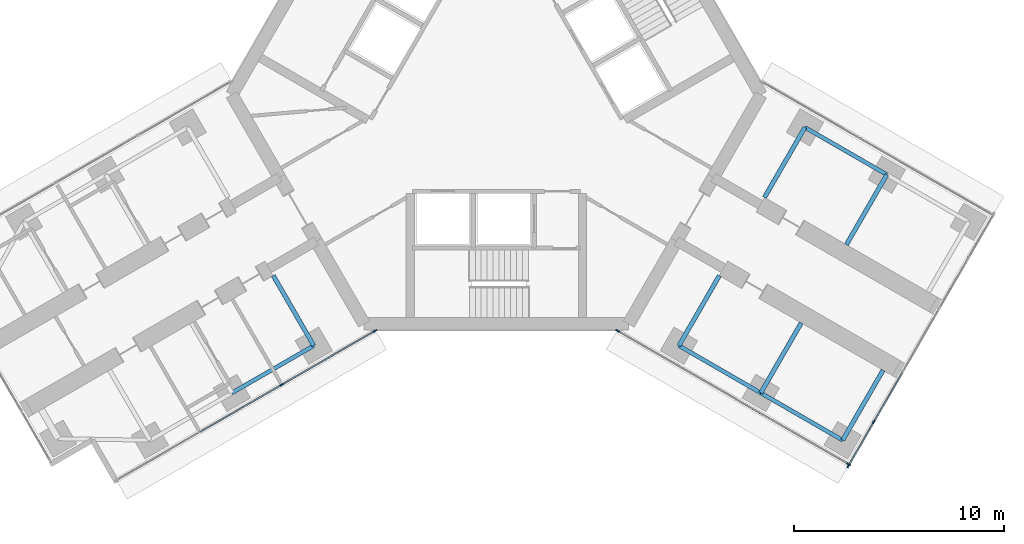
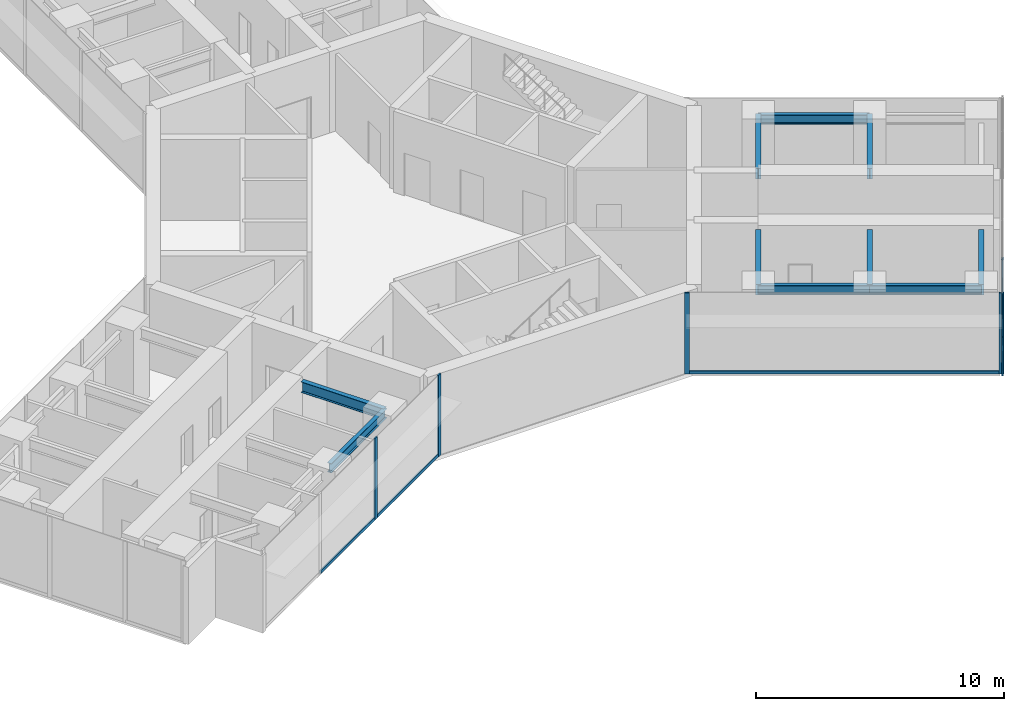
# One storey, part 8 of 22: 11 members, 10 beams, 3 elements without a shape of their own.
"""IFC4 building model written with IfcOpenShell, lengths in metres."""

from ifc_helpers import new_model, si_unit, direction, frame, origin, origin_2d, place, context, subcontext, project, spatial, rectangle, i_section, extrude, material, material_profile, profile_set, type_object, element, aggregate, save


model = new_model("IFC4")

# Units and contexts
model_context = context("Model", 3, precision=1e-05, world=origin(), true_north=direction((0.0, 1.0)))
body_context = subcontext(model_context, "Body", "Model", "MODEL_VIEW")
ifc_project = project(units=[si_unit("LENGTHUNIT", "METRE"), si_unit("AREAUNIT", "SQUARE_METRE"), si_unit("VOLUMEUNIT", "CUBIC_METRE"), si_unit("PLANEANGLEUNIT", "RADIAN"), si_unit("MASSUNIT", "GRAM", prefix="KILO")], contexts=[model_context])

# Site, building, storey
site_placement = place(None, origin())
site = spatial("IfcSite", under=ifc_project, at=site_placement, CompositionType="ELEMENT")
building_placement = place(site_placement, origin())
building = spatial("IfcBuilding", under=site, at=building_placement, Name="Upepo Twin Towers", CompositionType="ELEMENT")
storey_placement = place(building_placement, frame((0.0, 0.0, 141.5)))
storey = spatial("IfcBuildingStorey", under=building, at=storey_placement, Name="L34", CompositionType="ELEMENT", Elevation=141.5)

# Beams
ifc_material_1 = material(Name="Steel S355", Category="steel")
ifc_material_profile_1 = material_profile(ifc_material_1, i_section(OverallWidth=0.1904296875, OverallDepth=0.45703125, WebThickness=0.009033203125, FlangeThickness=0.014404296875, FilletRadius=0.01025390625, at=origin_2d()), Name="UB 457x191x74")
ifc_profile_set_1 = profile_set([ifc_material_profile_1], Name="Steel S355")
beam_type_1 = type_object("IfcBeamType", Name="Beam UB 457x191x74", PredefinedType="BEAM", material=ifc_profile_set_1)
for number, where, z_axis, x_axis, name in (
    (1, (49.80859375, -29.946044921875, 3.571533203125), (-0.866017533419, -0.500013631625, 0.0), (0.500013631625, -0.866017533419, 0.0), "T2 edge beam BL 13.5-18.0"),
    (2, (73.19140625, -19.553955078125, 3.571533203125), (0.866017533419, -0.500013631625, 0.0), (0.500013631625, 0.866017533419, 0.0), "T2 edge beam CL 13.5-18.0"),
    (3, (67.19140625, -29.946044921875, 3.571533203125), (0.866017533419, -0.500013631625, 0.0), (0.500013631625, 0.866017533419, 0.0), "T2 edge beam CR 13.5-18.0"),
):
    element("IfcBeam", number, at=place(storey_placement, frame(where, z_axis=z_axis, x_axis=x_axis)), inside=storey, type_object=beam_type_1, Name=name, PredefinedType="BEAM", context=body_context, shape_type="SweptSolid", body=[
        extrude(i_section(OverallWidth=0.1904296875, OverallDepth=0.45703125, WebThickness=0.009033203125, FlangeThickness=0.014404296875, FilletRadius=0.01025390625, at=origin_2d()), origin(), (0.0, 0.0, 1.0), 4.499755859375),
    ])
beam_1_placement = place(storey_placement, frame((71.08837890625, -32.196044921875, 3.571533203125), z_axis=(0.866031096941, -0.499990139034, 0.0), x_axis=(0.499990139034, 0.866031096941, 0.0)))
element("IfcBeam", 4, at=beam_1_placement, inside=storey, type_object=beam_type_1, Name="T2 edge beam CR 18.0-22.5", PredefinedType="BEAM", context=body_context, shape_type="SweptSolid", body=[
    extrude(i_section(OverallWidth=0.1904296875, OverallDepth=0.45703125, WebThickness=0.009033203125, FlangeThickness=0.014404296875, FilletRadius=0.01025390625, at=origin_2d()), origin(), (0.0, 0.0, 1.0), 4.5),
])
ifc_material_2 = material(Name="Steel S355", Category="steel")
ifc_material_profile_2 = material_profile(ifc_material_2, i_section(OverallWidth=0.209228515625, OverallDepth=0.533203125, WebThickness=0.010009765625, FlangeThickness=0.015625, FilletRadius=0.0126953125, at=origin_2d()), Name="UB 533x210x92")
ifc_profile_set_2 = profile_set([ifc_material_profile_2], Name="Steel S355")
beam_type_2 = type_object("IfcBeamType", Name="Beam UB 533x210x92", PredefinedType="BEAM", material=ifc_profile_set_2)
for number, where, z_axis, x_axis, name in (
    (5, (49.80859375, -29.946044921875, 3.533447265625), (-0.500033517596, 0.866006051527, 0.0), (-0.866006051527, -0.500033517596, 0.0), "T2 girder BL at 13.5"),
    (6, (73.19140625, -19.553955078125, 3.533447265625), (-0.500033517596, -0.866006051527, 0.0), (0.866006051527, -0.500033517596, 0.0), "T2 girder CL at 13.5"),
):
    element("IfcBeam", number, at=place(storey_placement, frame(where, z_axis=z_axis, x_axis=x_axis)), inside=storey, type_object=beam_type_2, Name=name, PredefinedType="BEAM", context=body_context, shape_type="SweptSolid", body=[
        extrude(i_section(OverallWidth=0.209228515625, OverallDepth=0.533203125, WebThickness=0.010009765625, FlangeThickness=0.015625, FilletRadius=0.0126953125, at=origin_2d()), origin(), (0.0, 0.0, 1.0), 3.849853515625),
    ])
beam_2_placement = place(storey_placement, frame((77.08837890625, -21.803955078125, 3.533447265625), z_axis=(-0.499985955615, -0.866033512162, 0.0), x_axis=(0.866033512162, -0.499985955615, 0.0)))
element("IfcBeam", 7, at=beam_2_placement, inside=storey, type_object=beam_type_2, Name="T2 girder CL at 18.0", PredefinedType="BEAM", context=body_context, shape_type="SweptSolid", body=[
    extrude(i_section(OverallWidth=0.209228515625, OverallDepth=0.533203125, WebThickness=0.010009765625, FlangeThickness=0.015625, FilletRadius=0.0126953125, at=origin_2d()), origin(), (0.0, 0.0, 1.0), 3.849609375),
])
for number, where, z_axis, x_axis, name in (
    (8, (67.19140625, -29.946044921875, 3.533447265625), (0.500033517596, 0.866006051527, 0.0), (-0.866006051527, 0.500033517596, 0.0), "T2 girder CR at 13.5"),
    (9, (71.08837890625, -32.196044921875, 3.533447265625), (0.500033517596, 0.866006051527, 0.0), (-0.866006051527, 0.500033517596, 0.0), "T2 girder CR at 18.0"),
    (10, (74.985595703125, -34.446044921875, 3.533447265625), (0.500033517596, 0.866006051527, 0.0), (-0.866006051527, 0.500033517596, 0.0), "T2 girder CR at 22.5"),
):
    element("IfcBeam", number, at=place(storey_placement, frame(where, z_axis=z_axis, x_axis=x_axis)), inside=storey, type_object=beam_type_2, Name=name, PredefinedType="BEAM", context=body_context, shape_type="SweptSolid", body=[
        extrude(i_section(OverallWidth=0.209228515625, OverallDepth=0.533203125, WebThickness=0.010009765625, FlangeThickness=0.015625, FilletRadius=0.0126953125, at=origin_2d()), origin(), (0.0, 0.0, 1.0), 3.849853515625),
    ])

# Curtain wall, members
ifc_material_3 = material(Name="Aluminium and fritted glass", Category="aluminium")
curtain_wall_type = type_object("IfcCurtainWallType", Name="Tower curtain wall TW2, fritted glass", PredefinedType="NOTDEFINED", material=ifc_material_3)
curtain_wall_1_placement = place(storey_placement, origin())
curtain_wall_1 = element("IfcCurtainWall", 11, at=curtain_wall_1_placement, inside=storey, type_object=curtain_wall_type, Name="T2 L34 wing B flank L curtain wall", PredefinedType="NOTDEFINED")
ifc_material_4 = material(Name="Aluminium mullion", Category="aluminium")
ifc_material_profile_3 = material_profile(ifc_material_4, rectangle(XDim=0.06494140625, YDim=0.199951171875, at=origin_2d()), Name="MULLION 65x200")
ifc_profile_set_3 = profile_set([ifc_material_profile_3], Name="Aluminium mullion")
member_type_1 = type_object("IfcMemberType", Name="Mullion 65x200 TW2", PredefinedType="MULLION", material=ifc_profile_set_3)
member_1_placement = place(storey_placement, frame((52.72802734375, -29.2421875, 0.0), z_axis=(0.0, 0.0, 1.0), x_axis=(0.500000010308, -0.866025397833, 0.0)))
member_1 = element("IfcMember", 12, at=member_1_placement, type_object=member_type_1, Name="T2 L34 wing B flank L curtain wall mullion 1", PredefinedType="MULLION", context=body_context, shape_type="SweptSolid", body=[
    extrude(rectangle(XDim=0.06494140625, YDim=0.199951171875, at=origin_2d()), origin(), (0.0, 0.0, 1.0), 4.0),
])
member_2_placement = place(storey_placement, frame((48.28515625, -31.807373046875, 0.0), z_axis=(0.0, 0.0, 1.0), x_axis=(0.500000010308, -0.866025397833, 0.0)))
member_2 = element("IfcMember", 13, at=member_2_placement, type_object=member_type_1, Name="T2 L34 wing B flank L curtain wall mullion 2", PredefinedType="MULLION", context=body_context, shape_type="SweptSolid", body=[
    extrude(rectangle(XDim=0.06494140625, YDim=0.199951171875, at=origin_2d()), origin(), (0.0, 0.0, 1.0), 4.0),
])

curtain_wall_2_placement = place(storey_placement, origin())
curtain_wall_2 = element("IfcCurtainWall", 14, at=curtain_wall_2_placement, inside=storey, type_object=curtain_wall_type, Name="T2 L34 wing C flank R curtain wall", PredefinedType="NOTDEFINED")
member_3_placement = place(storey_placement, frame((75.2685546875, -35.591064453125, 0.0), z_axis=(0.0, 0.0, 1.0), x_axis=(-0.50000000792, -0.866025399212, 0.0)))
member_3 = element("IfcMember", 15, at=member_3_placement, type_object=member_type_1, Name="T2 L34 wing C flank R curtain wall mullion 1", PredefinedType="MULLION", context=body_context, shape_type="SweptSolid", body=[
    extrude(rectangle(XDim=0.06494140625, YDim=0.199951171875, at=origin_2d()), origin(), (0.0, 0.0, 1.0), 4.0),
])
member_4_placement = place(storey_placement, frame((64.27197265625, -29.2421875, 0.0), z_axis=(0.0, 0.0, 1.0), x_axis=(-0.50000000792, -0.866025399212, 0.0)))
member_4 = element("IfcMember", 16, at=member_4_placement, type_object=member_type_1, Name="T2 L34 wing C flank R curtain wall mullion 2", PredefinedType="MULLION", context=body_context, shape_type="SweptSolid", body=[
    extrude(rectangle(XDim=0.06494140625, YDim=0.199951171875, at=origin_2d()), origin(), (0.0, 0.0, 1.0), 4.0),
])

curtain_wall_3_placement = place(storey_placement, origin())
curtain_wall_3 = element("IfcCurtainWall", 17, at=curtain_wall_3_placement, inside=storey, type_object=curtain_wall_type, Name="T2 L34 wing C nose curtain wall", PredefinedType="NOTDEFINED")
member_5_placement = place(storey_placement, frame((75.262939453125, -35.665771484375, 0.0), z_axis=(0.0, 0.0, 1.0), x_axis=(-0.866025419745, 0.499999972355, 0.0)))
member_5 = element("IfcMember", 18, at=member_5_placement, type_object=member_type_1, Name="T2 L34 wing C nose curtain wall mullion 1", PredefinedType="MULLION", context=body_context, shape_type="SweptSolid", body=[
    extrude(rectangle(XDim=0.06494140625, YDim=0.199951171875, at=origin_2d()), origin(), (0.0, 0.0, 1.0), 4.0),
])
member_6_placement = place(storey_placement, frame((76.4716796875, -33.572021484375, 0.0), z_axis=(0.0, 0.0, 1.0), x_axis=(-0.866025419745, 0.499999972355, 0.0)))
member_6 = element("IfcMember", 19, at=member_6_placement, type_object=member_type_1, Name="T2 L34 wing C nose curtain wall mullion 2", PredefinedType="MULLION", context=body_context, shape_type="SweptSolid", body=[
    extrude(rectangle(XDim=0.06494140625, YDim=0.199951171875, at=origin_2d()), origin(), (0.0, 0.0, 1.0), 4.0),
])

# Member
ifc_material_5 = material(Name="Aluminium transom", Category="aluminium")
ifc_material_profile_4 = material_profile(ifc_material_5, rectangle(XDim=0.06494140625, YDim=0.14990234375, at=origin_2d()), Name="TRANSOM 65x150")
ifc_profile_set_4 = profile_set([ifc_material_profile_4], Name="Aluminium transom")
member_type_2 = type_object("IfcMemberType", Name="Transom 65x150 TW2", PredefinedType="USERDEFINED", material=ifc_profile_set_4)
member_7_placement = place(storey_placement, frame((52.699951171875, -29.25830078125, 0.074951171875), z_axis=(-0.866021848223, -0.500006158363, 0.0), x_axis=(0.500006158363, -0.866021848223, 0.0)))
member_7 = element("IfcMember", 20, at=member_7_placement, type_object=member_type_2, Name="T2 L34 wing B flank L curtain wall transom 1", ObjectType="TRANSOM", PredefinedType="USERDEFINED", context=body_context, shape_type="SweptSolid", body=[
    extrude(rectangle(XDim=0.06494140625, YDim=0.14990234375, at=origin_2d()), origin(), (0.0, 0.0, 1.0), 5.0654296875),
])

member_8_placement = place(storey_placement, frame((48.2568359375, -31.823486328125, 0.074951171875), z_axis=(-0.866022410713, -0.500005184116, 0.0), x_axis=(0.500005184116, -0.866022410713, 0.0)))
member_8 = element("IfcMember", 21, at=member_8_placement, type_object=member_type_2, Name="T2 L34 wing B flank L curtain wall transom 2", ObjectType="TRANSOM", PredefinedType="USERDEFINED", context=body_context, shape_type="SweptSolid", body=[
    extrude(rectangle(XDim=0.06494140625, YDim=0.14990234375, at=origin_2d()), origin(), (0.0, 0.0, 1.0), 4.43505859375),
])

aggregate(curtain_wall_1, [member_1, member_2, member_7, member_8])

member_9_placement = place(storey_placement, frame((75.240478515625, -35.57470703125, 0.074951171875), z_axis=(-0.866027247007, 0.499996807431, 0.0), x_axis=(-0.499996807431, -0.866027247007, 0.0)))
member_9 = element("IfcMember", 22, at=member_9_placement, type_object=member_type_2, Name="T2 L34 wing C flank R curtain wall transom 1", ObjectType="TRANSOM", PredefinedType="USERDEFINED", context=body_context, shape_type="SweptSolid", body=[
    extrude(rectangle(XDim=0.06494140625, YDim=0.14990234375, at=origin_2d()), origin(), (0.0, 0.0, 1.0), 12.6328125),
])

aggregate(curtain_wall_2, [member_3, member_4, member_9])

member_10_placement = place(storey_placement, frame((75.279296875, -35.6376953125, 0.074951171875), z_axis=(0.499923095048, 0.866069800327, 0.0), x_axis=(-0.866069800327, 0.499923095048, 0.0)))
member_10 = element("IfcMember", 23, at=member_10_placement, type_object=member_type_2, Name="T2 L34 wing C nose curtain wall transom 1", ObjectType="TRANSOM", PredefinedType="USERDEFINED", context=body_context, shape_type="SweptSolid", body=[
    extrude(rectangle(XDim=0.06494140625, YDim=0.14990234375, at=origin_2d()), origin(), (0.0, 0.0, 1.0), 2.352294921875),
])

member_11_placement = place(storey_placement, frame((76.488037109375, -33.5439453125, 0.074951171875), z_axis=(0.49995335277, 0.8660523339, 0.0), x_axis=(-0.8660523339, 0.49995335277, 0.0)))
member_11 = element("IfcMember", 24, at=member_11_placement, type_object=member_type_2, Name="T2 L34 wing C nose curtain wall transom 2", ObjectType="TRANSOM", PredefinedType="USERDEFINED", context=body_context, shape_type="SweptSolid", body=[
    extrude(rectangle(XDim=0.06494140625, YDim=0.14990234375, at=origin_2d()), origin(), (0.0, 0.0, 1.0), 2.684814453125),
])

aggregate(curtain_wall_3, [member_5, member_6, member_10, member_11])

save(model, "model.ifc")
